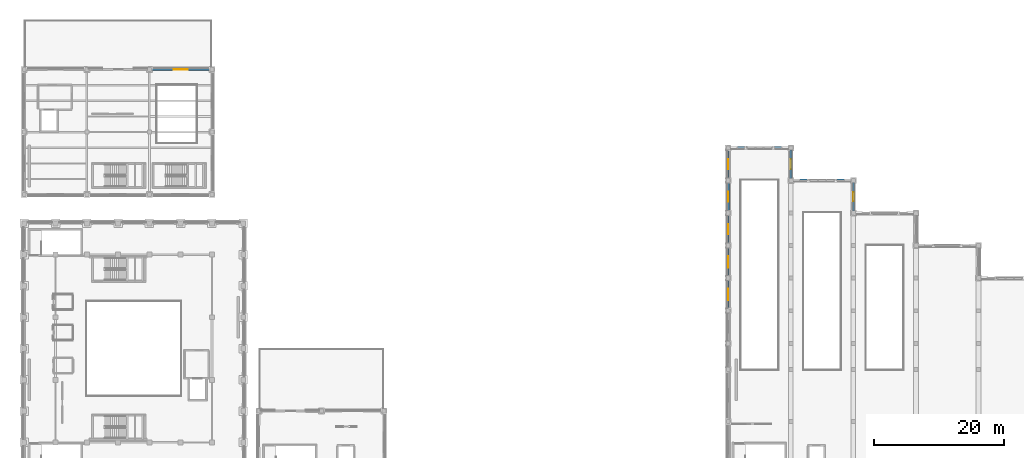
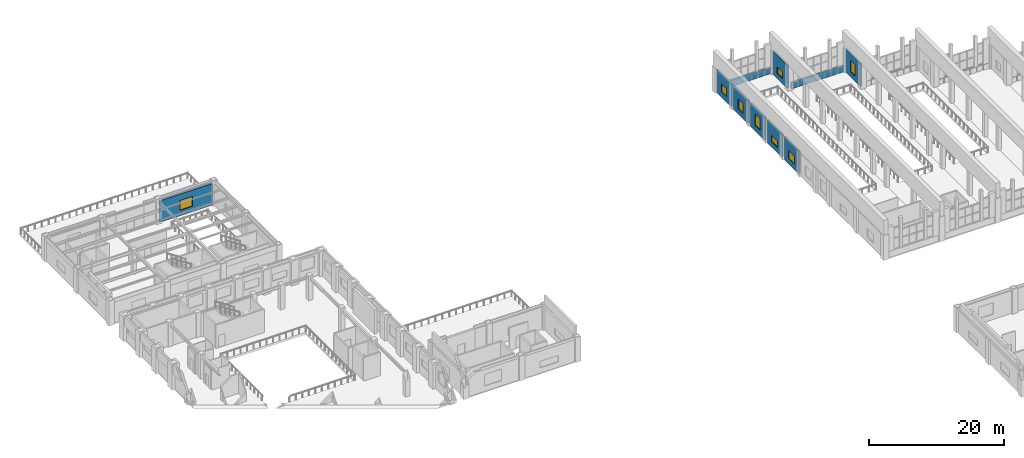
# One storey, part 33 of 46: 10 walls, 8 windows, 8 openings.
"""IFC4 building model written with IfcOpenShell, lengths in metres."""

from ifc_helpers import new_model, si_unit, direction, frame, frame_2d, origin, place, context, subcontext, project, spatial, rectangle, extrude, material, layer, layer_set, type_object, element, fill, save


model = new_model("IFC4")

# Units and contexts
model_context = context("Model", 3, precision=1e-05, world=origin(), true_north=direction((0.0, 1.0)))
body_context = subcontext(model_context, "Body", "Model", "MODEL_VIEW")
ifc_project = project(units=[si_unit("LENGTHUNIT", "METRE"), si_unit("AREAUNIT", "SQUARE_METRE"), si_unit("VOLUMEUNIT", "CUBIC_METRE"), si_unit("PLANEANGLEUNIT", "RADIAN"), si_unit("MASSUNIT", "GRAM", prefix="KILO")], contexts=[model_context])

# Site, building, storey
site_placement = place(None, origin())
site = spatial("IfcSite", under=ifc_project, at=site_placement, CompositionType="ELEMENT")
building_placement = place(site_placement, origin())
building = spatial("IfcBuilding", under=site, at=building_placement, Name="Mavantir Sound Aquarium", CompositionType="ELEMENT")
storey_placement = place(building_placement, frame((0.0, 0.0, 15.300048828125)))
storey = spatial("IfcBuildingStorey", under=building, at=storey_placement, Name="L03", CompositionType="ELEMENT", Elevation=15.300048828125)

# Wall, opening, window
ifc_material_1 = material(Name="Coral-Buff Architectural Precast Concrete C40/50", Category="concrete")
ifc_layer_1 = layer(ifc_material_1, 0.31005859375, Name="Coral-Buff Architectural Precast Concrete C40/50")
ifc_layer_set_1 = layer_set([ifc_layer_1], Name="Coral-Buff Architectural Precast Concrete C40/50")
wall_type_1 = type_object("IfcWallType", Name="EW-CORAL-310", PredefinedType="SOLIDWALL", material=ifc_layer_set_1)
wall_1_placement = place(storey_placement, frame((108.0, 80.491943359375, 0.0), z_axis=(0.0, 0.0, 1.0), x_axis=(0.0, -1.0, 0.0)))
wall_1 = element("IfcWall", 1, at=wall_1_placement, inside=storey, type_object=wall_type_1, Name="L03 exterior facade wall EW-02 356", PredefinedType="SOLIDWALL", context=body_context, shape_type="SweptSolid", body=[
    extrude(rectangle(XDim=4.384033203125, YDim=0.31005859375, at=frame_2d((2.19189453125, 0.0))), origin(), (0.0, 0.0, 1.0), 4.159912109375),
])
opening_1_placement = place(wall_1_placement, frame((1.4169921875, 0.0, 0.949951171875)))
opening_1 = element("IfcOpeningElement", 2, at=opening_1_placement, cuts=wall_1, Name="Opening W-16", PredefinedType="OPENING", context=body_context, shape_type="SweptSolid", body=[
    extrude(rectangle(XDim=1.550048828125, YDim=2.10009765625, at=frame_2d((0.77490234375, 1.050048828125))), frame((0.0, 0.1650390625, 0.0), z_axis=(0.0, -1.0, 0.0), x_axis=(1.0, 0.0, 0.0)), (0.0, 0.0, 1.0), 0.330078125),
])
ifc_material_2 = material(Name="Thermally Broken Aluminium and Low-E Glass", Category="aluminium")
window_type_1 = type_object("IfcWindowType", Name="WIN-EXT-16", PartitioningType="SINGLE_PANEL", PredefinedType="WINDOW", material=ifc_material_2)
window_1_placement = place(opening_1_placement, origin())
window_1 = element("IfcWindow", 3, at=window_1_placement, inside=storey, type_object=window_type_1, Name="L03 facade window W-16 160", OverallHeight=2.10009765625, OverallWidth=1.550048828125, PartitioningType="SINGLE_PANEL", PredefinedType="WINDOW", context=body_context, shape_type="SweptSolid", body=[
    extrude(rectangle(XDim=1.550048828125, YDim=2.10009765625, at=frame_2d((0.77490234375, 1.050048828125))), frame((0.0, 0.030029296875, 0.0), z_axis=(0.0, -1.0, 0.0), x_axis=(1.0, 0.0, 0.0)), (0.0, 0.0, 1.0), 0.06005859375),
])
fill(opening_1, window_1)

wall_2_placement = place(storey_placement, frame((28.491943359375, 102.800048828125, 0.0), z_axis=(0.0, 0.0, 1.0), x_axis=(-1.0, 0.0, 0.0)))
wall_2 = element("IfcWall", 4, at=wall_2_placement, inside=storey, type_object=wall_type_1, Name="L03 exterior facade wall EW-02 368", PredefinedType="SOLIDWALL", context=body_context, shape_type="SweptSolid", body=[
    extrude(rectangle(XDim=8.98388671875, YDim=0.31005859375, at=frame_2d((4.491943359375, 0.0))), origin(), (0.0, 0.0, 1.0), 3.8779296875),
])
opening_2_placement = place(wall_2_placement, frame((3.4169921875, 0.0, 0.949951171875)))
opening_2 = element("IfcOpeningElement", 5, at=opening_2_placement, cuts=wall_2, Name="Opening W-27", PredefinedType="OPENING", context=body_context, shape_type="SweptSolid", body=[
    extrude(rectangle(XDim=2.14990234375, YDim=1.800048828125, at=frame_2d((1.074951171875, 0.89990234375))), frame((0.0, 0.1650390625, 0.0), z_axis=(0.0, -1.0, 0.0), x_axis=(1.0, 0.0, 0.0)), (0.0, 0.0, 1.0), 0.330078125),
])
window_type_2 = type_object("IfcWindowType", Name="WIN-EXT-27", PartitioningType="DOUBLE_PANEL_VERTICAL", PredefinedType="WINDOW", material=ifc_material_2)
window_2_placement = place(opening_2_placement, origin())
window_2 = element("IfcWindow", 6, at=window_2_placement, inside=storey, type_object=window_type_2, Name="L03 facade window W-27 171", OverallHeight=1.800048828125, OverallWidth=2.14990234375, PartitioningType="SINGLE_PANEL", PredefinedType="WINDOW", context=body_context, shape_type="SweptSolid", body=[
    extrude(rectangle(XDim=2.14990234375, YDim=1.800048828125, at=frame_2d((1.074951171875, 0.89990234375))), frame((0.0, 0.030029296875, 0.0), z_axis=(0.0, -1.0, 0.0), x_axis=(1.0, 0.0, 0.0)), (0.0, 0.0, 1.0), 0.06005859375),
])
fill(opening_2, window_2)

ifc_layer_2 = layer(ifc_material_1, 0.340087890625, Name="Coral-Buff Architectural Precast Concrete C40/50")
ifc_layer_set_2 = layer_set([ifc_layer_2], Name="Coral-Buff Architectural Precast Concrete C40/50")
wall_type_2 = type_object("IfcWallType", Name="EW-CORAL-340", PredefinedType="SOLIDWALL", material=ifc_layer_set_2)
wall_3_placement = place(storey_placement, frame((108.0, 85.491943359375, 0.0), z_axis=(0.0, 0.0, 1.0), x_axis=(0.0, -1.0, 0.0)))
wall_3 = element("IfcWall", 7, at=wall_3_placement, inside=storey, type_object=wall_type_2, Name="L03 exterior facade wall EW-01 355", PredefinedType="SOLIDWALL", context=body_context, shape_type="SweptSolid", body=[
    extrude(rectangle(XDim=4.384033203125, YDim=0.340087890625, at=frame_2d((2.19189453125, 0.0))), origin(), (0.0, 0.0, 1.0), 4.159912109375),
])
opening_3_placement = place(wall_3_placement, frame((1.4169921875, 0.0, 0.949951171875)))
opening_3 = element("IfcOpeningElement", 8, at=opening_3_placement, cuts=wall_3, Name="Opening W-15", PredefinedType="OPENING", context=body_context, shape_type="SweptSolid", body=[
    extrude(rectangle(XDim=1.550048828125, YDim=1.800048828125, at=frame_2d((0.77490234375, 0.89990234375))), frame((0.0, 0.18017578125, 0.0), z_axis=(0.0, -1.0, 0.0), x_axis=(1.0, 0.0, 0.0)), (0.0, 0.0, 1.0), 0.360107421875),
])
window_type_3 = type_object("IfcWindowType", Name="WIN-EXT-15", PartitioningType="SINGLE_PANEL", PredefinedType="WINDOW", material=ifc_material_2)
window_3_placement = place(opening_3_placement, origin())
window_3 = element("IfcWindow", 9, at=window_3_placement, inside=storey, type_object=window_type_3, Name="L03 facade window W-15 159", OverallHeight=1.800048828125, OverallWidth=1.550048828125, PartitioningType="SINGLE_PANEL", PredefinedType="WINDOW", context=body_context, shape_type="SweptSolid", body=[
    extrude(rectangle(XDim=1.550048828125, YDim=1.800048828125, at=frame_2d((0.77490234375, 0.89990234375))), frame((0.0, 0.030029296875, 0.0), z_axis=(0.0, -1.0, 0.0), x_axis=(1.0, 0.0, 0.0)), (0.0, 0.0, 1.0), 0.06005859375),
])
fill(opening_3, window_3)

# Walls
for number, where, z_axis, x_axis, name in (
    (10, (108.300048828125, 90.800048828125, 0.0), (0.0, 0.0, 1.0), (1.0, 0.0, 0.0), "Scalloped bay 1 N gallery dado wall"),
    (11, (117.89990234375, 85.800048828125, 0.0), (0.0, 0.0, 1.0), (1.0, 0.0, 0.0), "Scalloped bay 2 N gallery dado wall"),
):
    element("IfcWall", number, at=place(storey_placement, frame(where, z_axis=z_axis, x_axis=x_axis)), inside=storey, type_object=wall_type_2, Name=name, PredefinedType="SOLIDWALL", context=body_context, shape_type="SweptSolid", body=[
        extrude(rectangle(XDim=9.0, YDim=0.340087890625, at=frame_2d((4.5, 0.0))), origin(), (0.0, 0.0, 1.0), 1.119873046875),
    ])

# Wall, opening, window
ifc_material_3 = material(Name="Architectural Precast Concrete C40/50", Category="concrete")
ifc_layer_3 = layer(ifc_material_3, 0.239990234375, Name="Architectural Precast Concrete C40/50")
ifc_layer_set_3 = layer_set([ifc_layer_3], Name="Architectural Precast Concrete C40/50")
wall_type_3 = type_object("IfcWallType", Name="EW-PRE-240", PredefinedType="SOLIDWALL", material=ifc_layer_set_3)
wall_4_placement = place(storey_placement, frame((108.0, 90.491943359375, 0.0), z_axis=(0.0, 0.0, 1.0), x_axis=(0.0, -1.0, 0.0)))
wall_4 = element("IfcWall", 12, at=wall_4_placement, inside=storey, type_object=wall_type_3, Name="L03 exterior facade wall EW-06 354", PredefinedType="SOLIDWALL", context=body_context, shape_type="SweptSolid", body=[
    extrude(rectangle(XDim=4.384033203125, YDim=0.239990234375, at=frame_2d((2.19189453125, 0.0))), origin(), (0.0, 0.0, 1.0), 4.159912109375),
])
opening_4_placement = place(wall_4_placement, frame((1.4169921875, 0.0, 0.949951171875)))
opening_4 = element("IfcOpeningElement", 13, at=opening_4_placement, cuts=wall_4, Name="Opening W-14", PredefinedType="OPENING", context=body_context, shape_type="SweptSolid", body=[
    extrude(rectangle(XDim=1.550048828125, YDim=1.5, at=frame_2d((0.77490234375, 0.75))), frame((0.0, 0.1298828125, 0.0), z_axis=(0.0, -1.0, 0.0), x_axis=(1.0, 0.0, 0.0)), (0.0, 0.0, 1.0), 0.260009765625),
])
window_type_4 = type_object("IfcWindowType", Name="WIN-EXT-14", PartitioningType="SINGLE_PANEL", PredefinedType="WINDOW", material=ifc_material_2)
window_4_placement = place(opening_4_placement, origin())
window_4 = element("IfcWindow", 14, at=window_4_placement, inside=storey, type_object=window_type_4, Name="L03 facade window W-14 158", OverallHeight=1.5, OverallWidth=1.550048828125, PartitioningType="SINGLE_PANEL", PredefinedType="WINDOW", context=body_context, shape_type="SweptSolid", body=[
    extrude(rectangle(XDim=1.550048828125, YDim=1.5, at=frame_2d((0.77490234375, 0.75))), frame((0.0, 0.030029296875, 0.0), z_axis=(0.0, -1.0, 0.0), x_axis=(1.0, 0.0, 0.0)), (0.0, 0.0, 1.0), 0.06005859375),
])
fill(opening_4, window_4)

ifc_layer_4 = layer(ifc_material_1, 0.360107421875, Name="Coral-Buff Architectural Precast Concrete C40/50")
ifc_layer_set_4 = layer_set([ifc_layer_4], Name="Coral-Buff Architectural Precast Concrete C40/50")
wall_type_4 = type_object("IfcWallType", Name="EW-PRE-360", PredefinedType="SOLIDWALL", material=ifc_layer_set_4)
wall_5_placement = place(storey_placement, frame((117.60009765625, 86.10791015625, 0.0), z_axis=(0.0, 0.0, 1.0), x_axis=(0.0, 1.0, 0.0)))
wall_5 = element("IfcWall", 15, at=wall_5_placement, inside=storey, type_object=wall_type_4, Name="L03 exterior facade wall EW-05 353", PredefinedType="SOLIDWALL", context=body_context, shape_type="SweptSolid", body=[
    extrude(rectangle(XDim=4.384033203125, YDim=0.360107421875, at=frame_2d((2.19189453125, 0.0))), origin(), (0.0, 0.0, 1.0), 4.159912109375),
])
opening_5_placement = place(wall_5_placement, frame((1.4169921875, 0.0, 0.949951171875)))
opening_5 = element("IfcOpeningElement", 16, at=opening_5_placement, cuts=wall_5, Name="Opening W-13", PredefinedType="OPENING", context=body_context, shape_type="SweptSolid", body=[
    extrude(rectangle(XDim=1.550048828125, YDim=1.199951171875, at=frame_2d((0.77490234375, 0.60009765625))), frame((0.0, 0.18994140625, 0.0), z_axis=(0.0, -1.0, 0.0), x_axis=(1.0, 0.0, 0.0)), (0.0, 0.0, 1.0), 0.380126953125),
])
window_type_5 = type_object("IfcWindowType", Name="WIN-EXT-13", PartitioningType="SINGLE_PANEL", PredefinedType="WINDOW", material=ifc_material_2)
window_5_placement = place(opening_5_placement, origin())
window_5 = element("IfcWindow", 17, at=window_5_placement, inside=storey, type_object=window_type_5, Name="L03 facade window W-13 157", OverallHeight=1.199951171875, OverallWidth=1.550048828125, PartitioningType="SINGLE_PANEL", PredefinedType="WINDOW", context=body_context, shape_type="SweptSolid", body=[
    extrude(rectangle(XDim=1.550048828125, YDim=1.199951171875, at=frame_2d((0.77490234375, 0.60009765625))), frame((0.0, 0.030029296875, 0.0), z_axis=(0.0, -1.0, 0.0), x_axis=(1.0, 0.0, 0.0)), (0.0, 0.0, 1.0), 0.06005859375),
])
fill(opening_5, window_5)

ifc_material_4 = material(Name="Cerulean Glazed Terracotta Rainscreen on Concrete C40/50", Category="masonry")
ifc_layer_5 = layer(ifc_material_4, 0.27001953125, Name="Cerulean Glazed Terracotta Rainscreen on Concrete C40/50")
ifc_layer_set_5 = layer_set([ifc_layer_5], Name="Cerulean Glazed Terracotta Rainscreen on Concrete C40/50")
wall_type_5 = type_object("IfcWallType", Name="EW-TERRA-270", PredefinedType="SOLIDWALL", material=ifc_layer_set_5)
wall_6_placement = place(storey_placement, frame((127.199951171875, 81.10791015625, 0.0), z_axis=(0.0, 0.0, 1.0), x_axis=(0.0, 1.0, 0.0)))
wall_6 = element("IfcWall", 18, at=wall_6_placement, inside=storey, type_object=wall_type_5, Name="L03 exterior facade wall EW-04 352", PredefinedType="SOLIDWALL", context=body_context, shape_type="SweptSolid", body=[
    extrude(rectangle(XDim=4.384033203125, YDim=0.27001953125, at=frame_2d((2.19189453125, 0.0))), origin(), (0.0, 0.0, 1.0), 4.159912109375),
])
opening_6_placement = place(wall_6_placement, frame((1.51708984375, 0.0, 0.949951171875)))
opening_6 = element("IfcOpeningElement", 19, at=opening_6_placement, cuts=wall_6, Name="Opening W-12", PredefinedType="OPENING", context=body_context, shape_type="SweptSolid", body=[
    extrude(rectangle(XDim=1.35009765625, YDim=2.10009765625, at=frame_2d((0.675048828125, 1.050048828125))), frame((0.0, 0.14501953125, 0.0), z_axis=(0.0, -1.0, 0.0), x_axis=(1.0, 0.0, 0.0)), (0.0, 0.0, 1.0), 0.2900390625),
])
window_type_6 = type_object("IfcWindowType", Name="WIN-EXT-12", PartitioningType="SINGLE_PANEL", PredefinedType="WINDOW", material=ifc_material_2)
window_6_placement = place(opening_6_placement, origin())
window_6 = element("IfcWindow", 20, at=window_6_placement, inside=storey, type_object=window_type_6, Name="L03 facade window W-12 156", OverallHeight=2.10009765625, OverallWidth=1.35009765625, PartitioningType="SINGLE_PANEL", PredefinedType="WINDOW", context=body_context, shape_type="SweptSolid", body=[
    extrude(rectangle(XDim=1.35009765625, YDim=2.10009765625, at=frame_2d((0.675048828125, 1.050048828125))), frame((0.0, 0.030029296875, 0.0), z_axis=(0.0, -1.0, 0.0), x_axis=(1.0, 0.0, 0.0)), (0.0, 0.0, 1.0), 0.06005859375),
])
fill(opening_6, window_6)

wall_7_placement = place(storey_placement, frame((108.0, 70.491943359375, 0.0), z_axis=(0.0, 0.0, 1.0), x_axis=(0.0, -1.0, 0.0)))
wall_7 = element("IfcWall", 21, at=wall_7_placement, inside=storey, type_object=wall_type_5, Name="L03 exterior facade wall EW-04 358", PredefinedType="SOLIDWALL", context=body_context, shape_type="SweptSolid", body=[
    extrude(rectangle(XDim=4.384033203125, YDim=0.27001953125, at=frame_2d((2.19189453125, 0.0))), origin(), (0.0, 0.0, 1.0), 4.159912109375),
])
opening_7_placement = place(wall_7_placement, frame((1.31689453125, 0.0, 0.949951171875)))
opening_7 = element("IfcOpeningElement", 22, at=opening_7_placement, cuts=wall_7, Name="Opening W-18", PredefinedType="OPENING", context=body_context, shape_type="SweptSolid", body=[
    extrude(rectangle(XDim=1.75, YDim=1.5, at=frame_2d((0.875, 0.75))), frame((0.0, 0.14501953125, 0.0), z_axis=(0.0, -1.0, 0.0), x_axis=(1.0, 0.0, 0.0)), (0.0, 0.0, 1.0), 0.2900390625),
])
window_type_7 = type_object("IfcWindowType", Name="WIN-EXT-18", PartitioningType="DOUBLE_PANEL_VERTICAL", PredefinedType="WINDOW", material=ifc_material_2)
window_7_placement = place(opening_7_placement, origin())
window_7 = element("IfcWindow", 23, at=window_7_placement, inside=storey, type_object=window_type_7, Name="L03 facade window W-18 162", OverallHeight=1.5, OverallWidth=1.75, PartitioningType="SINGLE_PANEL", PredefinedType="WINDOW", context=body_context, shape_type="SweptSolid", body=[
    extrude(rectangle(XDim=1.75, YDim=1.5, at=frame_2d((0.875, 0.75))), frame((0.0, 0.030029296875, 0.0), z_axis=(0.0, -1.0, 0.0), x_axis=(1.0, 0.0, 0.0)), (0.0, 0.0, 1.0), 0.06005859375),
])
fill(opening_7, window_7)

ifc_material_5 = material(Name="Turquoise Glazed Terracotta Rainscreen on Concrete C40/50", Category="masonry")
ifc_layer_6 = layer(ifc_material_5, 0.2900390625, Name="Turquoise Glazed Terracotta Rainscreen on Concrete C40/50")
ifc_layer_set_6 = layer_set([ifc_layer_6], Name="Turquoise Glazed Terracotta Rainscreen on Concrete C40/50")
wall_type_6 = type_object("IfcWallType", Name="EW-TERRA-290", PredefinedType="SOLIDWALL", material=ifc_layer_set_6)
wall_8_placement = place(storey_placement, frame((108.0, 75.491943359375, 0.0), z_axis=(0.0, 0.0, 1.0), x_axis=(0.0, -1.0, 0.0)))
wall_8 = element("IfcWall", 24, at=wall_8_placement, inside=storey, type_object=wall_type_6, Name="L03 exterior facade wall EW-03 357", PredefinedType="SOLIDWALL", context=body_context, shape_type="SweptSolid", body=[
    extrude(rectangle(XDim=4.384033203125, YDim=0.2900390625, at=frame_2d((2.19189453125, 0.0))), origin(), (0.0, 0.0, 1.0), 4.159912109375),
])
opening_8_placement = place(wall_8_placement, frame((1.31689453125, 0.0, 0.949951171875)))
opening_8 = element("IfcOpeningElement", 25, at=opening_8_placement, cuts=wall_8, Name="Opening W-17", PredefinedType="OPENING", context=body_context, shape_type="SweptSolid", body=[
    extrude(rectangle(XDim=1.75, YDim=1.199951171875, at=frame_2d((0.875, 0.60009765625))), frame((0.0, 0.155029296875, 0.0), z_axis=(0.0, -1.0, 0.0), x_axis=(1.0, 0.0, 0.0)), (0.0, 0.0, 1.0), 0.31005859375),
])
window_type_8 = type_object("IfcWindowType", Name="WIN-EXT-17", PartitioningType="DOUBLE_PANEL_VERTICAL", PredefinedType="WINDOW", material=ifc_material_2)
window_8_placement = place(opening_8_placement, origin())
window_8 = element("IfcWindow", 26, at=window_8_placement, inside=storey, type_object=window_type_8, Name="L03 facade window W-17 161", OverallHeight=1.199951171875, OverallWidth=1.75, PartitioningType="SINGLE_PANEL", PredefinedType="WINDOW", context=body_context, shape_type="SweptSolid", body=[
    extrude(rectangle(XDim=1.75, YDim=1.199951171875, at=frame_2d((0.875, 0.60009765625))), frame((0.0, 0.030029296875, 0.0), z_axis=(0.0, -1.0, 0.0), x_axis=(1.0, 0.0, 0.0)), (0.0, 0.0, 1.0), 0.06005859375),
])
fill(opening_8, window_8)

save(model, "model.ifc")
